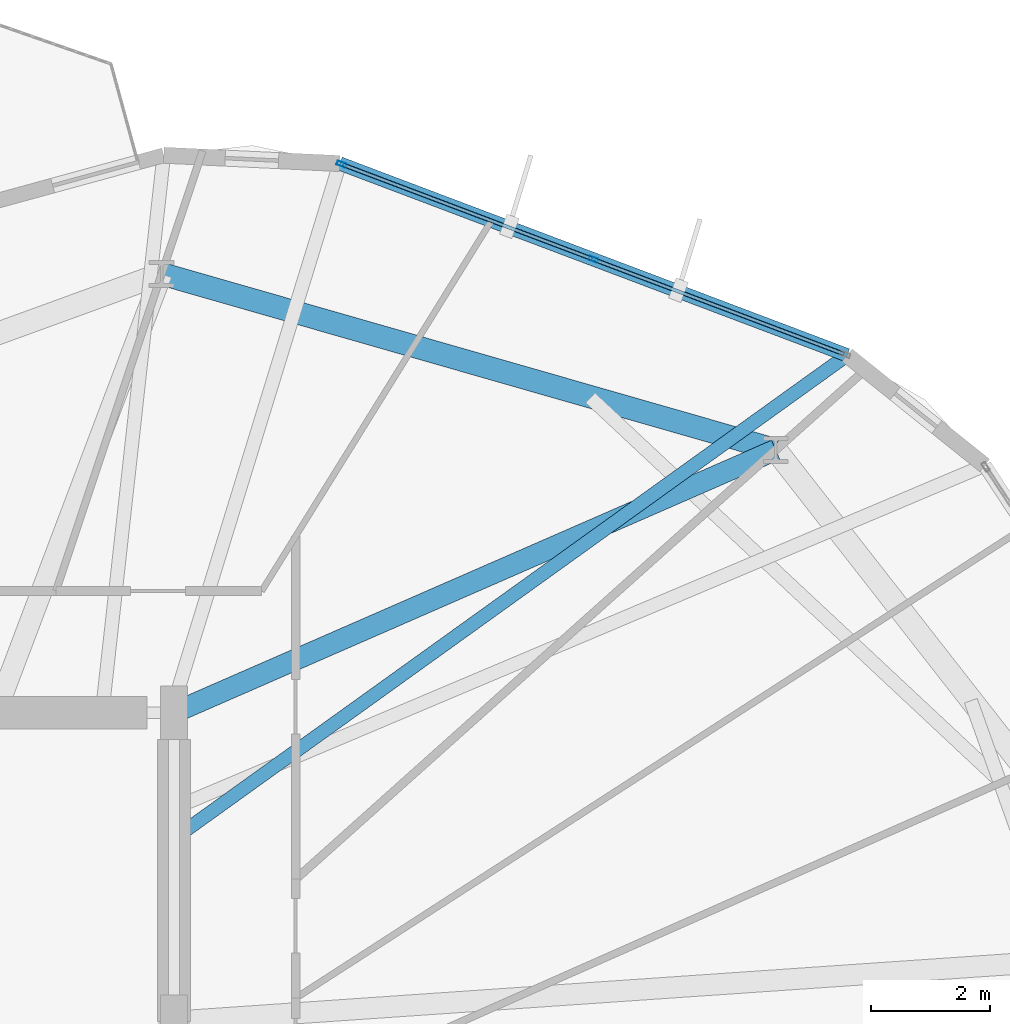
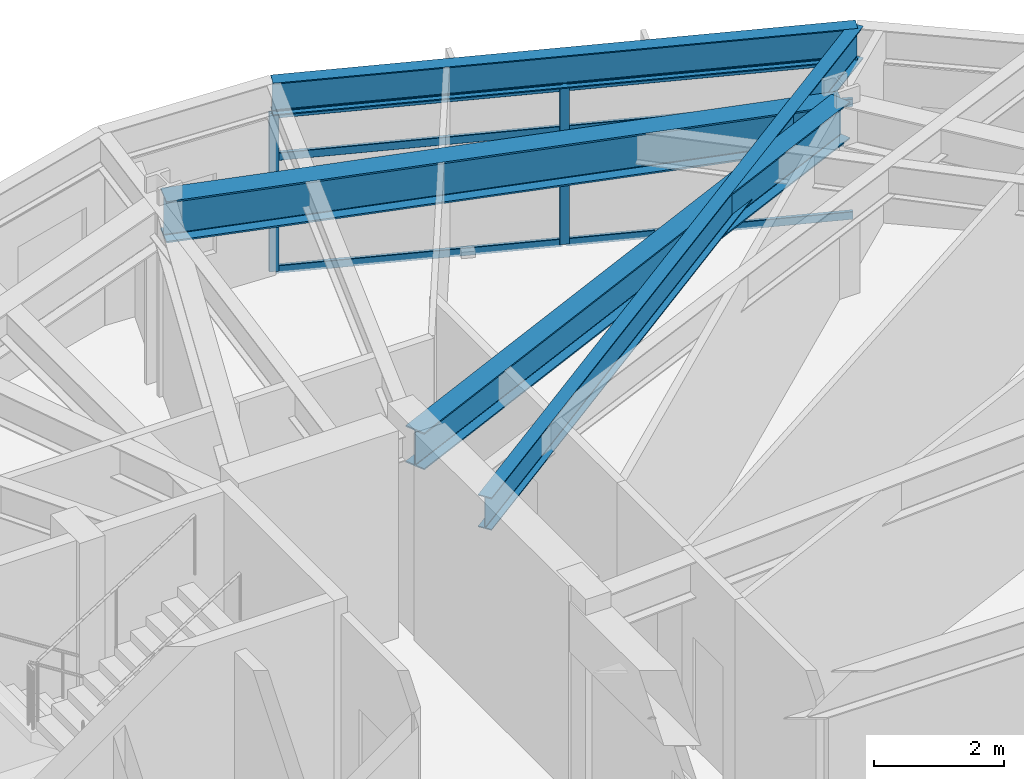
# One storey, part 17 of 25: 8 members, 4 beams, 1 element without a shape of its own.
"""IFC4 building model written with IfcOpenShell, lengths in metres."""

from ifc_helpers import new_model, si_unit, direction, frame, origin, origin_2d, place, context, subcontext, project, spatial, hollow_rectangle, i_section, extrude, material, layer, layer_set, material_profile, profile_set, type_object, element, aggregate, save


model = new_model("IFC4")

# Units and contexts
model_context = context("Model", 3, precision=1e-05, world=origin(), true_north=direction((0.0, 1.0)))
body_context = subcontext(model_context, "Body", "Model", "MODEL_VIEW")
ifc_project = project(units=[si_unit("LENGTHUNIT", "METRE"), si_unit("AREAUNIT", "SQUARE_METRE"), si_unit("VOLUMEUNIT", "CUBIC_METRE"), si_unit("PLANEANGLEUNIT", "RADIAN"), si_unit("MASSUNIT", "GRAM", prefix="KILO")], contexts=[model_context])

# Site, building, storey
site_placement = place(None, origin())
site = spatial("IfcSite", under=ifc_project, at=site_placement, CompositionType="ELEMENT")
building_placement = place(site_placement, origin())
building = spatial("IfcBuilding", under=site, at=building_placement, Name="Soratama Intermodal Tower", CompositionType="ELEMENT")
storey_placement = place(building_placement, frame((0.0, 0.0, 87.39990234375)))
storey = spatial("IfcBuildingStorey", under=building, at=storey_placement, Name="L20", CompositionType="ELEMENT", Elevation=87.39990234375)

# Beams
ifc_material_1 = material(Name="Structural steel ASTM A992 Grade 50", Category="steel")
ifc_material_profile_1 = material_profile(ifc_material_1, i_section(OverallWidth=0.35498046875, OverallDepth=0.695068359375, WebThickness=0.015380859375, FlangeThickness=0.02490234375, FilletRadius=0.01611328125, at=origin_2d()), Name="W27X146")
ifc_profile_set_1 = profile_set([ifc_material_profile_1], Name="Structural steel ASTM A992 Grade 50")
beam_type_1 = type_object("IfcBeamType", Name="BM-RING-W27X146", PredefinedType="BEAM", material=ifc_profile_set_1)
beam_1_placement = place(storey_placement, frame((44.60009765625, 35.0, 3.252685546875), z_axis=(0.91638224797, 0.400304353718, 0.0), x_axis=(-0.400304353718, 0.91638224797, 0.0)))
element("IfcBeam", 1, at=beam_1_placement, inside=storey, type_object=beam_type_1, Name="BM-L20-RAD-02", PredefinedType="BEAM", context=body_context, shape_type="SweptSolid", body=[
    extrude(i_section(OverallWidth=0.35498046875, OverallDepth=0.695068359375, WebThickness=0.015380859375, FlangeThickness=0.02490234375, FilletRadius=0.01611328125, at=origin_2d()), origin(), (0.0, 0.0, 1.0), 11.05419921875),
])
ifc_material_2 = material(Name="Structural steel ASTM A992 Grade 50", Category="steel")
ifc_material_profile_2 = material_profile(ifc_material_2, i_section(OverallWidth=0.382080078125, OverallDepth=0.779052734375, WebThickness=0.01806640625, FlangeThickness=0.030029296875, FilletRadius=0.01806640625, at=origin_2d()), Name="W30X191")
ifc_profile_set_2 = profile_set([ifc_material_profile_2], Name="Structural steel ASTM A992 Grade 50")
beam_type_2 = type_object("IfcBeamType", Name="BM-RING-W30X191", PredefinedType="BEAM", material=ifc_profile_set_2)
beam_2_placement = place(storey_placement, frame((54.72998046875, 39.425048828125, 3.210693359375), z_axis=(-0.961266505995, 0.275620580604, 0.0), x_axis=(-0.275620580604, -0.961266505995, 0.0)))
element("IfcBeam", 2, at=beam_2_placement, inside=storey, type_object=beam_type_2, Name="BM-L20-RING-02", PredefinedType="BEAM", context=body_context, shape_type="SweptSolid", body=[
    extrude(i_section(OverallWidth=0.382080078125, OverallDepth=0.779052734375, WebThickness=0.01806640625, FlangeThickness=0.030029296875, FilletRadius=0.01806640625, at=origin_2d()), origin(), (0.0, 0.0, 1.0), 10.75341796875),
])
ifc_material_3 = material(Name="Structural steel ASTM A992 Grade 50", Category="steel")
ifc_material_profile_3 = material_profile(ifc_material_3, i_section(OverallWidth=0.22900390625, OverallDepth=0.612060546875, WebThickness=0.011962890625, FlangeThickness=0.01953125, FilletRadius=0.012939453125, at=origin_2d()), Name="W24X84")
ifc_profile_set_3 = profile_set([ifc_material_profile_3], Name="Structural steel ASTM A992 Grade 50")
beam_type_3 = type_object("IfcBeamType", Name="BM-SPN-W24X84", PredefinedType="SPANDREL", material=ifc_profile_set_3)
beam_3_placement = place(storey_placement, frame((55.93310546875, 41.01904296875, 3.294189453125), z_axis=(-0.935455984261, 0.353443208323, 0.0), x_axis=(-0.353443208323, -0.935455984261, 0.0)))
element("IfcBeam", 3, at=beam_3_placement, inside=storey, type_object=beam_type_3, Name="BS-L20-F02", PredefinedType="SPANDREL", context=body_context, shape_type="SweptSolid", body=[
    extrude(i_section(OverallWidth=0.22900390625, OverallDepth=0.612060546875, WebThickness=0.011962890625, FlangeThickness=0.01953125, FilletRadius=0.012939453125, at=origin_2d()), origin(), (0.0, 0.0, 1.0), 9.13037109375),
])
ifc_material_4 = material(Name="Structural steel ASTM A992 Grade 50", Category="steel")
ifc_material_profile_4 = material_profile(ifc_material_4, i_section(OverallWidth=0.22900390625, OverallDepth=0.612060546875, WebThickness=0.011962890625, FlangeThickness=0.01953125, FilletRadius=0.012939453125, at=origin_2d()), Name="W24X84")
ifc_profile_set_4 = profile_set([ifc_material_profile_4], Name="Structural steel ASTM A992 Grade 50")
beam_type_4 = type_object("IfcBeamType", Name="BM-TIE-W24X84", PredefinedType="BEAM", material=ifc_profile_set_4)
beam_4_placement = place(storey_placement, frame((44.632080078125, 32.903076171875, 3.294189453125), z_axis=(0.812241661056, 0.583321081434, 0.0), x_axis=(-0.583321081434, 0.812241661056, 0.0)))
element("IfcBeam", 4, at=beam_4_placement, inside=storey, type_object=beam_type_4, Name="BM-L20-TIE0-02", PredefinedType="BEAM", context=body_context, shape_type="SweptSolid", body=[
    extrude(i_section(OverallWidth=0.22900390625, OverallDepth=0.612060546875, WebThickness=0.011962890625, FlangeThickness=0.01953125, FilletRadius=0.012939453125, at=origin_2d()), origin(), (0.0, 0.0, 1.0), 13.913330078125),
])

# Curtain wall, members
ifc_material_5 = material(Name="Double-glazed aluminium curtain wall", Category="aluminium")
ifc_layer = layer(ifc_material_5, 0.159912109375)
ifc_layer_set = layer_set([ifc_layer], Name="Double-glazed aluminium curtain wall")
curtain_wall_type = type_object("IfcCurtainWallType", Name="CW-SYS-3", PredefinedType="NOTDEFINED", material=ifc_layer_set)
curtain_wall_placement = place(storey_placement, origin())
curtain_wall = element("IfcCurtainWall", 5, at=curtain_wall_placement, inside=storey, type_object=curtain_wall_type, Name="L20 Faceted Curtain Wall F02", PredefinedType="NOTDEFINED")
ifc_material_6 = material(Name="Anodised aluminium AA 6063-T6", Category="aluminium")
ifc_material_profile_5 = material_profile(ifc_material_6, hollow_rectangle(XDim=0.070068359375, YDim=0.159912109375, WallThickness=0.0048828125, InnerFilletRadius=0.0048828125, OuterFilletRadius=0.010009765625, at=origin_2d()), Name="CWM160X70X5")
ifc_profile_set_5 = profile_set([ifc_material_profile_5], Name="Anodised aluminium AA 6063-T6")
member_type_1 = type_object("IfcMemberType", Name="MT-CWM-3", PredefinedType="MULLION", material=ifc_profile_set_5)
member_1_placement = place(storey_placement, frame((51.66259765625, 42.632080078125, 0.0), z_axis=(0.0, 0.0, 1.0), x_axis=(-0.353467878982, -0.935446662578, 0.0)))
member_1 = element("IfcMember", 6, at=member_1_placement, type_object=member_type_1, Name="CW-3 mullion 2", PredefinedType="MULLION", context=body_context, shape_type="SweptSolid", body=[
    extrude(hollow_rectangle(XDim=0.070068359375, YDim=0.159912109375, WallThickness=0.0048828125, InnerFilletRadius=0.0048828125, OuterFilletRadius=0.010009765625, at=origin_2d()), origin(), (0.0, 0.0, 1.0), 2.97900390625),
])
member_2_placement = place(storey_placement, frame((47.420654296875, 44.235107421875, 0.0), z_axis=(0.0, 0.0, 1.0), x_axis=(-0.353467878982, -0.935446662578, 0.0)))
member_2 = element("IfcMember", 7, at=member_2_placement, type_object=member_type_1, Name="CW-3 mullion 3", PredefinedType="MULLION", context=body_context, shape_type="SweptSolid", body=[
    extrude(hollow_rectangle(XDim=0.070068359375, YDim=0.159912109375, WallThickness=0.0048828125, InnerFilletRadius=0.0048828125, OuterFilletRadius=0.010009765625, at=origin_2d()), origin(), (0.0, 0.0, 1.0), 2.97900390625),
])
ifc_material_7 = material(Name="Anodised aluminium AA 6063-T6", Category="aluminium")
ifc_material_profile_6 = material_profile(ifc_material_7, hollow_rectangle(XDim=0.06494140625, YDim=0.14990234375, WallThickness=0.0048828125, InnerFilletRadius=0.0048828125, OuterFilletRadius=0.010009765625, at=origin_2d()), Name="CWT150X65X5")
ifc_profile_set_6 = profile_set([ifc_material_profile_6], Name="Anodised aluminium AA 6063-T6")
member_type_2 = type_object("IfcMemberType", Name="TT-CWT-1", PredefinedType="USERDEFINED", material=ifc_profile_set_6)
member_3_placement = place(storey_placement, frame((55.87646484375, 41.039794921875, 0.030029296875), z_axis=(-0.935436013931, 0.353496059158, 0.0), x_axis=(-0.353496059158, -0.935436013931, 0.0)))
member_3 = element("IfcMember", 8, at=member_3_placement, type_object=member_type_2, Name="CW-3 transom 1.1", ObjectType="TRANSOM", PredefinedType="USERDEFINED", context=body_context, shape_type="SweptSolid", body=[
    extrude(hollow_rectangle(XDim=0.06494140625, YDim=0.14990234375, WallThickness=0.0048828125, InnerFilletRadius=0.0048828125, OuterFilletRadius=0.010009765625, at=origin_2d()), origin(), (0.0, 0.0, 1.0), 4.474609375),
])
member_4_placement = place(storey_placement, frame((55.87646484375, 41.039794921875, 2.150146484375), z_axis=(-0.935436013931, 0.353496059158, 0.0), x_axis=(-0.353496059158, -0.935436013931, 0.0)))
member_4 = element("IfcMember", 9, at=member_4_placement, type_object=member_type_2, Name="CW-3 transom 1.2", ObjectType="TRANSOM", PredefinedType="USERDEFINED", context=body_context, shape_type="SweptSolid", body=[
    extrude(hollow_rectangle(XDim=0.06494140625, YDim=0.14990234375, WallThickness=0.0048828125, InnerFilletRadius=0.0048828125, OuterFilletRadius=0.010009765625, at=origin_2d()), origin(), (0.0, 0.0, 1.0), 4.474609375),
])
member_5_placement = place(storey_placement, frame((55.87646484375, 41.039794921875, 2.94921875), z_axis=(-0.935436013931, 0.353496059158, 0.0), x_axis=(-0.353496059158, -0.935436013931, 0.0)))
member_5 = element("IfcMember", 10, at=member_5_placement, type_object=member_type_2, Name="CW-3 transom 1.3", ObjectType="TRANSOM", PredefinedType="USERDEFINED", context=body_context, shape_type="SweptSolid", body=[
    extrude(hollow_rectangle(XDim=0.06494140625, YDim=0.14990234375, WallThickness=0.0048828125, InnerFilletRadius=0.0048828125, OuterFilletRadius=0.010009765625, at=origin_2d()), origin(), (0.0, 0.0, 1.0), 4.474609375),
])
member_6_placement = place(storey_placement, frame((51.634521484375, 42.642822265625, 0.030029296875), z_axis=(-0.93545405467, 0.353448315319, 0.0), x_axis=(-0.353448315319, -0.93545405467, 0.0)))
member_6 = element("IfcMember", 11, at=member_6_placement, type_object=member_type_2, Name="CW-3 transom 2.1", ObjectType="TRANSOM", PredefinedType="USERDEFINED", context=body_context, shape_type="SweptSolid", body=[
    extrude(hollow_rectangle(XDim=0.06494140625, YDim=0.14990234375, WallThickness=0.0048828125, InnerFilletRadius=0.0048828125, OuterFilletRadius=0.010009765625, at=origin_2d()), origin(), (0.0, 0.0, 1.0), 4.474609375),
])
member_7_placement = place(storey_placement, frame((51.634521484375, 42.642822265625, 2.150146484375), z_axis=(-0.93545405467, 0.353448315319, 0.0), x_axis=(-0.353448315319, -0.93545405467, 0.0)))
member_7 = element("IfcMember", 12, at=member_7_placement, type_object=member_type_2, Name="CW-3 transom 2.2", ObjectType="TRANSOM", PredefinedType="USERDEFINED", context=body_context, shape_type="SweptSolid", body=[
    extrude(hollow_rectangle(XDim=0.06494140625, YDim=0.14990234375, WallThickness=0.0048828125, InnerFilletRadius=0.0048828125, OuterFilletRadius=0.010009765625, at=origin_2d()), origin(), (0.0, 0.0, 1.0), 4.474609375),
])
member_8_placement = place(storey_placement, frame((51.634521484375, 42.642822265625, 2.94921875), z_axis=(-0.93545405467, 0.353448315319, 0.0), x_axis=(-0.353448315319, -0.93545405467, 0.0)))
member_8 = element("IfcMember", 13, at=member_8_placement, type_object=member_type_2, Name="CW-3 transom 2.3", ObjectType="TRANSOM", PredefinedType="USERDEFINED", context=body_context, shape_type="SweptSolid", body=[
    extrude(hollow_rectangle(XDim=0.06494140625, YDim=0.14990234375, WallThickness=0.0048828125, InnerFilletRadius=0.0048828125, OuterFilletRadius=0.010009765625, at=origin_2d()), origin(), (0.0, 0.0, 1.0), 4.474609375),
])
aggregate(curtain_wall, [member_1, member_2, member_3, member_4, member_5, member_6, member_7, member_8])

save(model, "model.ifc")
